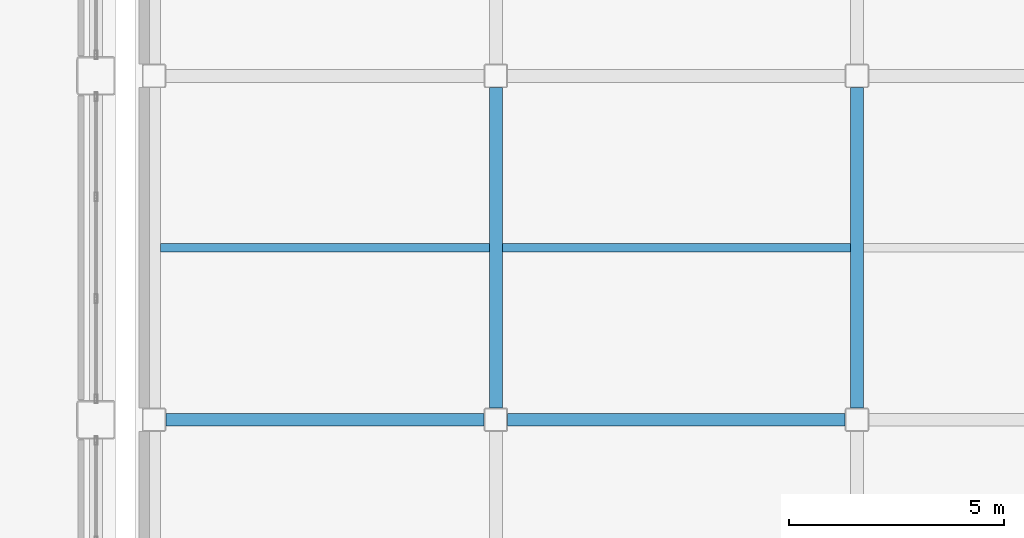
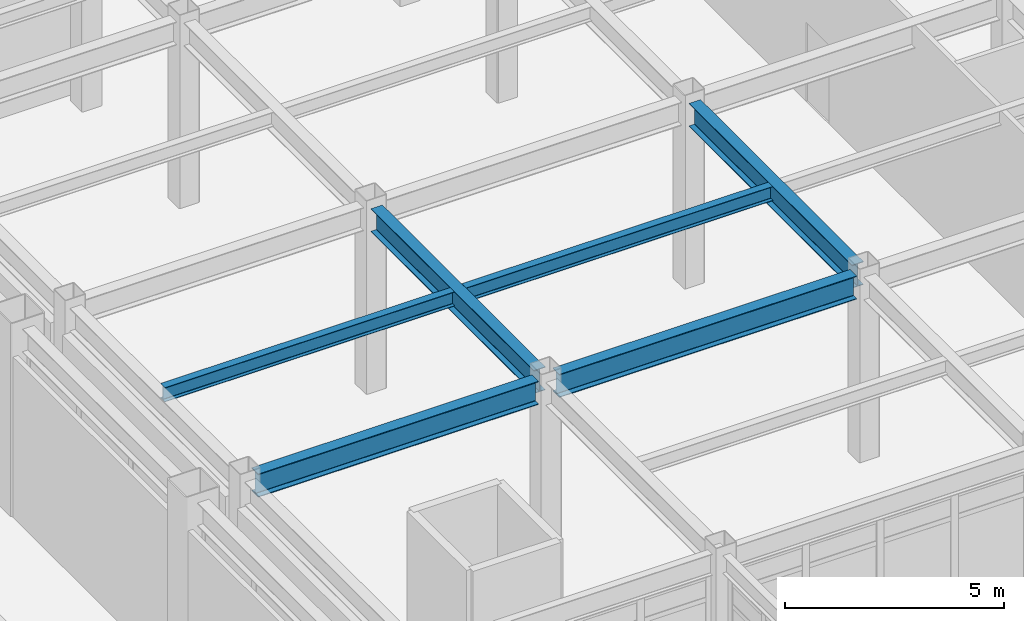
# One storey, part 73 of 165: 6 beams.
"""IFC4 building model written with IfcOpenShell, lengths in metres."""

from ifc_helpers import new_model, si_unit, direction, frame, origin, origin_2d, place, context, subcontext, project, spatial, i_section, extrude, material, material_profile, profile_set, type_object, element, save


model = new_model("IFC4")

# Units and contexts
model_context = context("Model", 3, precision=1e-05, world=origin(), true_north=direction((0.0, 1.0)))
body_context = subcontext(model_context, "Body", "Model", "MODEL_VIEW")
ifc_project = project(units=[si_unit("LENGTHUNIT", "METRE"), si_unit("AREAUNIT", "SQUARE_METRE"), si_unit("VOLUMEUNIT", "CUBIC_METRE"), si_unit("PLANEANGLEUNIT", "RADIAN"), si_unit("MASSUNIT", "GRAM", prefix="KILO")], contexts=[model_context])

# Site, building, storey
site_placement = place(None, origin())
site = spatial("IfcSite", under=ifc_project, at=site_placement, CompositionType="ELEMENT")
building_placement = place(site_placement, origin())
building = spatial("IfcBuilding", under=site, at=building_placement, Name="Kazehara Bluff Congress Hotel", CompositionType="ELEMENT")
storey_placement = place(building_placement, origin())
storey = spatial("IfcBuildingStorey", under=building, at=storey_placement, Name="L00", CompositionType="ELEMENT", Elevation=0.0)

# Beams
ifc_material_1 = material(Name="Steel SN490B", Category="steel")
ifc_material_profile_1 = material_profile(ifc_material_1, i_section(OverallWidth=0.300048828125, OverallDepth=0.64990234375, WebThickness=0.011962890625, FlangeThickness=0.02001953125, FilletRadius=0.012939453125, at=origin_2d()))
ifc_profile_set_1 = profile_set([ifc_material_profile_1], Name="Steel SN490B")
beam_type_1 = type_object("IfcBeamType", Name="TP-G-03", PredefinedType="BEAM", material=ifc_profile_set_1)
for number, where, z_axis, x_axis, name in (
    (1, (67.64990234375, 89.175048828125, 4.824951171875), (0.0, 1.0, 0.0), (-1.0, 0.0, 0.0), "L00 girder G-03 104"),
    (2, (76.050048828125, 89.175048828125, 4.824951171875), (0.0, 1.0, 0.0), (-1.0, 0.0, 0.0), "L00 girder G-03 108"),
):
    element("IfcBeam", number, at=place(storey_placement, frame(where, z_axis=z_axis, x_axis=x_axis)), inside=storey, type_object=beam_type_1, Name=name, PredefinedType="BEAM", context=body_context, shape_type="SweptSolid", body=[
        extrude(i_section(OverallWidth=0.300048828125, OverallDepth=0.64990234375, WebThickness=0.011962890625, FlangeThickness=0.02001953125, FilletRadius=0.012939453125, at=origin_2d()), origin(), (0.0, 0.0, 1.0), 7.449951171875),
    ])
beam_1_placement = place(storey_placement, frame((59.97509765625, 88.89990234375, 4.824951171875), z_axis=(1.0, 0.0, 0.0), x_axis=(0.0, 1.0, 0.0)))
element("IfcBeam", 3, at=beam_1_placement, inside=storey, type_object=beam_type_1, Name="L00 girder G-03 128", PredefinedType="BEAM", context=body_context, shape_type="SweptSolid", body=[
    extrude(i_section(OverallWidth=0.300048828125, OverallDepth=0.64990234375, WebThickness=0.011962890625, FlangeThickness=0.02001953125, FilletRadius=0.012939453125, at=origin_2d()), origin(), (0.0, 0.0, 1.0), 7.39990234375),
])
beam_2_placement = place(storey_placement, frame((67.925048828125, 88.89990234375, 4.824951171875), z_axis=(1.0, 0.0, 0.0), x_axis=(0.0, 1.0, 0.0)))
element("IfcBeam", 4, at=beam_2_placement, inside=storey, type_object=beam_type_1, Name="L00 girder G-03 129", PredefinedType="BEAM", context=body_context, shape_type="SweptSolid", body=[
    extrude(i_section(OverallWidth=0.300048828125, OverallDepth=0.64990234375, WebThickness=0.011962890625, FlangeThickness=0.02001953125, FilletRadius=0.012939453125, at=origin_2d()), origin(), (0.0, 0.0, 1.0), 7.849853515625),
])
ifc_material_2 = material(Name="Steel SN400B", Category="steel")
ifc_material_profile_2 = material_profile(ifc_material_2, i_section(OverallWidth=0.199951171875, OverallDepth=0.39990234375, WebThickness=0.008056640625, FlangeThickness=0.012939453125, FilletRadius=0.012939453125, at=origin_2d()))
ifc_profile_set_2 = profile_set([ifc_material_profile_2], Name="Steel SN400B")
beam_type_2 = type_object("IfcBeamType", Name="TP-J-03", PredefinedType="JOIST", material=ifc_profile_set_2)
beam_3_placement = place(storey_placement, frame((59.85009765625, 92.89990234375, 4.949951171875), z_axis=(1.0, 0.0, 0.0), x_axis=(0.0, 1.0, 0.0)))
element("IfcBeam", 5, at=beam_3_placement, inside=storey, type_object=beam_type_2, Name="L00 secondary joist J-03 12", PredefinedType="JOIST", context=body_context, shape_type="SweptSolid", body=[
    extrude(i_section(OverallWidth=0.199951171875, OverallDepth=0.39990234375, WebThickness=0.008056640625, FlangeThickness=0.012939453125, FilletRadius=0.012939453125, at=origin_2d()), origin(), (0.0, 0.0, 1.0), 7.64990234375),
])
beam_4_placement = place(storey_placement, frame((67.800048828125, 92.89990234375, 4.949951171875), z_axis=(1.0, 0.0, 0.0), x_axis=(0.0, 1.0, 0.0)))
element("IfcBeam", 6, at=beam_4_placement, inside=storey, type_object=beam_type_2, Name="L00 secondary joist J-03 16", PredefinedType="JOIST", context=body_context, shape_type="SweptSolid", body=[
    extrude(i_section(OverallWidth=0.199951171875, OverallDepth=0.39990234375, WebThickness=0.008056640625, FlangeThickness=0.012939453125, FilletRadius=0.012939453125, at=origin_2d()), origin(), (0.0, 0.0, 1.0), 8.099853515625),
])

save(model, "model.ifc")
